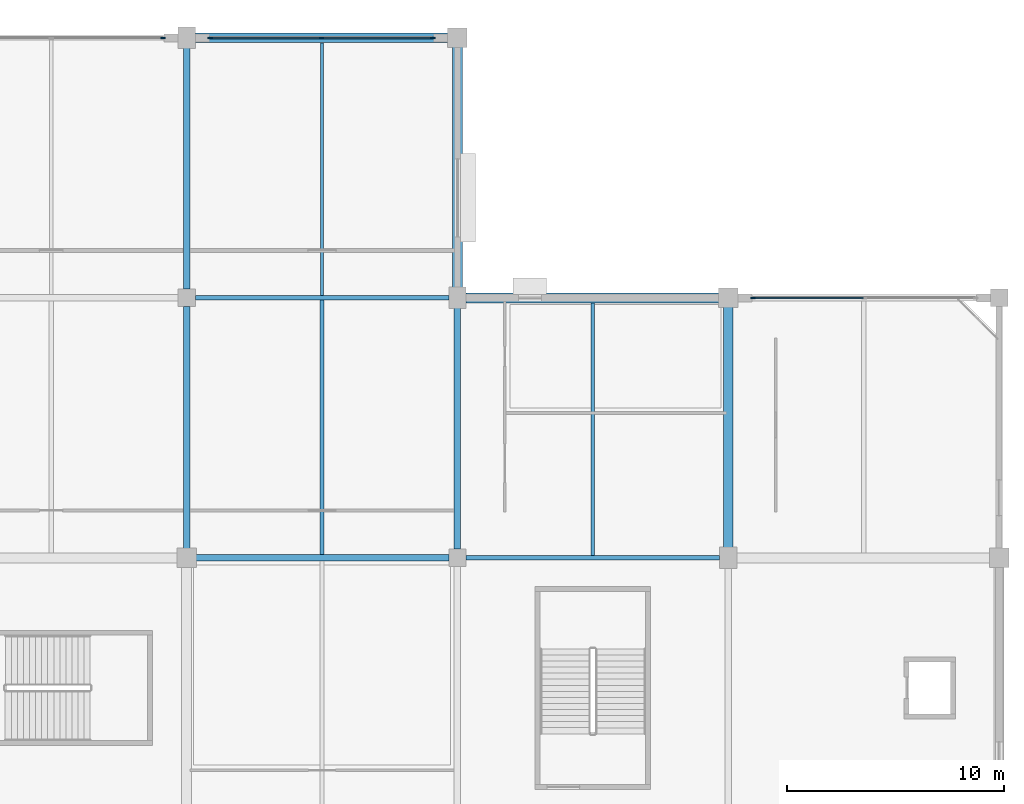
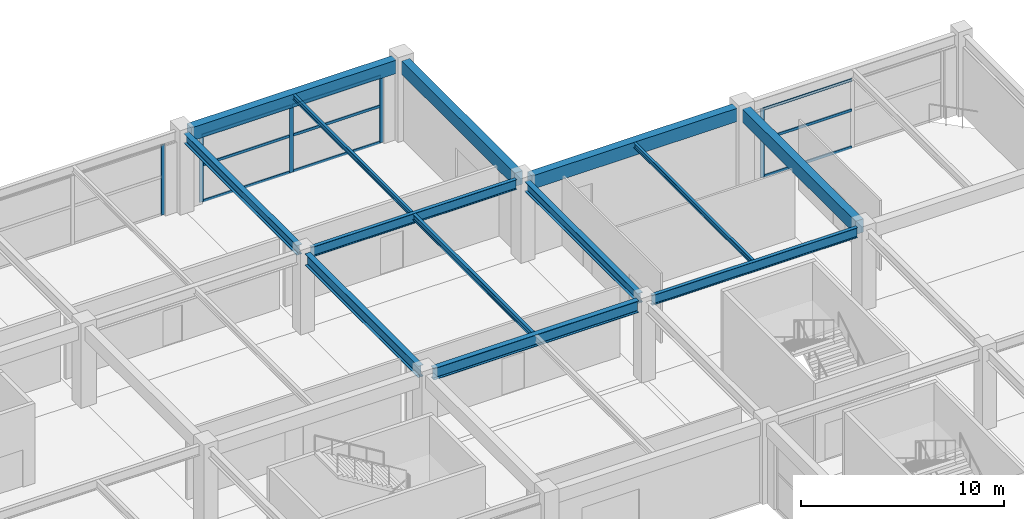
# One storey, part 53 of 116: 14 members, 13 beams, 3 elements without a shape of their own.
"""IFC4 building model written with IfcOpenShell, lengths in metres."""

from ifc_helpers import new_model, si_unit, direction, frame, origin, origin_2d, place, context, subcontext, project, spatial, rectangle, i_section, extrude, material, layer, layer_set, material_profile, profile_set, type_object, element, aggregate, save


model = new_model("IFC4")

# Units and contexts
model_context = context("Model", 3, precision=1e-05, world=origin(), true_north=direction((0.0, 1.0)))
body_context = subcontext(model_context, "Body", "Model", "MODEL_VIEW")
ifc_project = project(units=[si_unit("LENGTHUNIT", "METRE"), si_unit("AREAUNIT", "SQUARE_METRE"), si_unit("VOLUMEUNIT", "CUBIC_METRE"), si_unit("PLANEANGLEUNIT", "RADIAN"), si_unit("MASSUNIT", "GRAM", prefix="KILO")], contexts=[model_context])

# Site, building, storey
site_placement = place(None, origin())
site = spatial("IfcSite", under=ifc_project, at=site_placement, CompositionType="ELEMENT")
building_placement = place(site_placement, origin())
building = spatial("IfcBuilding", under=site, at=building_placement, Name="Kazenohara Klinker Stadium", CompositionType="ELEMENT")
storey_placement = place(building_placement, frame((0.0, 0.0, 10.199951171875)))
storey = spatial("IfcBuildingStorey", under=building, at=storey_placement, Name="L02", CompositionType="ELEMENT", Elevation=10.199951171875)

# Beams
ifc_material_1 = material(Name="Steel S355", Category="steel")
ifc_material_profile_1 = material_profile(ifc_material_1, i_section(OverallWidth=0.175048828125, OverallDepth=0.35009765625, WebThickness=0.007080078125, FlangeThickness=0.010986328125, FilletRadius=0.012939453125, at=origin_2d()), Name="H-350x175x7x11")
ifc_profile_set_1 = profile_set([ifc_material_profile_1], Name="Steel S355")
beam_type_1 = type_object("IfcBeamType", Name="BM-JST04", PredefinedType="JOIST", material=ifc_profile_set_1)
beam_1_placement = place(storey_placement, frame((168.75, 144.14990234375, 4.64501953125), z_axis=(0.0, 1.0, 0.0), x_axis=(-1.0, 0.0, 0.0)))
element("IfcBeam", 1, at=beam_1_placement, inside=storey, type_object=beam_type_1, Name="Secondary floor joist SJ04 L02 14/N", PredefinedType="JOIST", context=body_context, shape_type="SweptSolid", body=[
    extrude(i_section(OverallWidth=0.175048828125, OverallDepth=0.35009765625, WebThickness=0.007080078125, FlangeThickness=0.010986328125, FilletRadius=0.012939453125, at=origin_2d()), origin(), (0.0, 0.0, 1.0), 11.75),
])
ifc_material_profile_2 = material_profile(ifc_material_1, i_section(OverallWidth=0.14990234375, OverallDepth=0.300048828125, WebThickness=0.006591796875, FlangeThickness=0.009033203125, FilletRadius=0.012939453125, at=origin_2d()), Name="H-300x150x6.5x9")
ifc_profile_set_2 = profile_set([ifc_material_profile_2], Name="Steel S355")
beam_type_2 = type_object("IfcBeamType", Name="BM-JST05", PredefinedType="JOIST", material=ifc_profile_set_2)
for number, where, z_axis, x_axis, name in (
    (2, (168.75, 156.10009765625, 4.670166015625), (0.0, 1.0, 0.0), (-1.0, 0.0, 0.0), "Secondary floor joist SJ05 L02 14/P"),
    (3, (181.25, 144.10009765625, 4.670166015625), (0.0, 1.0, 0.0), (-1.0, 0.0, 0.0), "Secondary floor joist SJ05 L02 15/N"),
):
    element("IfcBeam", number, at=place(storey_placement, frame(where, z_axis=z_axis, x_axis=x_axis)), inside=storey, type_object=beam_type_2, Name=name, PredefinedType="JOIST", context=body_context, shape_type="SweptSolid", body=[
        extrude(i_section(OverallWidth=0.14990234375, OverallDepth=0.300048828125, WebThickness=0.006591796875, FlangeThickness=0.009033203125, FilletRadius=0.012939453125, at=origin_2d()), origin(), (0.0, 0.0, 1.0), 11.6748046875),
    ])
ifc_material_2 = material(Name="Concrete C40/50", Category="concrete")
ifc_material_profile_3 = material_profile(ifc_material_2, rectangle(XDim=0.449951171875, YDim=0.800048828125, at=origin_2d()), Name="RC-BM-450x800")
ifc_profile_set_3 = profile_set([ifc_material_profile_3], Name="Concrete C40/50")
beam_type_3 = type_object("IfcBeamType", Name="BM-RC03", PredefinedType="BEAM", material=ifc_profile_set_3)
for number, where, z_axis, x_axis, name in (
    (4, (162.89990234375, 168.0, 4.420166015625), (1.0, 0.0, 0.0), (0.0, 1.0, 0.0), "Primary girder BG03 L02 14-15/Q"),
    (5, (175.39990234375, 156.0, 4.420166015625), (1.0, 0.0, 0.0), (0.0, 1.0, 0.0), "Primary girder BG03 L02 15-16/P"),
):
    element("IfcBeam", number, at=place(storey_placement, frame(where, z_axis=z_axis, x_axis=x_axis)), inside=storey, type_object=beam_type_3, Name=name, PredefinedType="BEAM", context=body_context, shape_type="SweptSolid", body=[
        extrude(rectangle(XDim=0.449951171875, YDim=0.800048828125, at=origin_2d()), origin(), (0.0, 0.0, 1.0), 11.68017578125),
    ])
for number, where, z_axis, x_axis, name in (
    (6, (175.0, 156.419921875, 4.420166015625), (0.0, 1.0, 0.0), (-1.0, 0.0, 0.0), "Primary girder BG03 L02 15/P-Q"),
    (7, (187.5, 144.419921875, 4.420166015625), (0.0, 1.0, 0.0), (-1.0, 0.0, 0.0), "Primary girder BG03 L02 16/N-P"),
):
    element("IfcBeam", number, at=place(storey_placement, frame(where, z_axis=z_axis, x_axis=x_axis)), inside=storey, type_object=beam_type_3, Name=name, PredefinedType="BEAM", context=body_context, shape_type="SweptSolid", body=[
        extrude(rectangle(XDim=0.449951171875, YDim=0.800048828125, at=origin_2d()), origin(), (0.0, 0.0, 1.0), 11.16015625),
    ])
ifc_material_profile_4 = material_profile(ifc_material_1, i_section(OverallWidth=0.300048828125, OverallDepth=0.699951171875, WebThickness=0.012939453125, FlangeThickness=0.02392578125, FilletRadius=0.02197265625, at=origin_2d()), Name="H-700x300x13x24")
ifc_profile_set_4 = profile_set([ifc_material_profile_4], Name="Steel S355")
beam_type_4 = type_object("IfcBeamType", Name="BM-ST03", PredefinedType="BEAM", material=ifc_profile_set_4)
beam_2_placement = place(storey_placement, frame((162.919921875, 144.0, 4.469970703125), z_axis=(1.0, 0.0, 0.0), x_axis=(0.0, 1.0, 0.0)))
element("IfcBeam", 8, at=beam_2_placement, inside=storey, type_object=beam_type_4, Name="Primary girder SB03 L02 14-15/N", PredefinedType="BEAM", context=body_context, shape_type="SweptSolid", body=[
    extrude(i_section(OverallWidth=0.300048828125, OverallDepth=0.699951171875, WebThickness=0.012939453125, FlangeThickness=0.02392578125, FilletRadius=0.02197265625, at=origin_2d()), origin(), (0.0, 0.0, 1.0), 11.68017578125),
])
beam_3_placement = place(storey_placement, frame((162.5, 144.419921875, 4.469970703125), z_axis=(0.0, 1.0, 0.0), x_axis=(-1.0, 0.0, 0.0)))
element("IfcBeam", 9, at=beam_3_placement, inside=storey, type_object=beam_type_4, Name="Primary girder SB03 L02 14/N-P", PredefinedType="BEAM", context=body_context, shape_type="SweptSolid", body=[
    extrude(i_section(OverallWidth=0.300048828125, OverallDepth=0.699951171875, WebThickness=0.012939453125, FlangeThickness=0.02392578125, FilletRadius=0.02197265625, at=origin_2d()), origin(), (0.0, 0.0, 1.0), 11.18017578125),
])
ifc_material_profile_5 = material_profile(ifc_material_1, i_section(OverallWidth=0.199951171875, OverallDepth=0.60009765625, WebThickness=0.010986328125, FlangeThickness=0.01708984375, FilletRadius=0.012939453125, at=origin_2d()), Name="H-600x200x11x17")
ifc_profile_set_5 = profile_set([ifc_material_profile_5], Name="Steel S355")
beam_type_5 = type_object("IfcBeamType", Name="BM-ST04", PredefinedType="BEAM", material=ifc_profile_set_5)
for number, where, z_axis, x_axis, name in (
    (10, (162.89990234375, 156.0, 4.52001953125), (1.0, 0.0, 0.0), (0.0, 1.0, 0.0), "Primary girder SB04 L02 14-15/P"),
    (11, (175.39990234375, 144.0, 4.52001953125), (1.0, 0.0, 0.0), (0.0, 1.0, 0.0), "Primary girder SB04 L02 15-16/N"),
):
    element("IfcBeam", number, at=place(storey_placement, frame(where, z_axis=z_axis, x_axis=x_axis)), inside=storey, type_object=beam_type_5, Name=name, PredefinedType="BEAM", context=body_context, shape_type="SweptSolid", body=[
        extrude(i_section(OverallWidth=0.199951171875, OverallDepth=0.60009765625, WebThickness=0.010986328125, FlangeThickness=0.01708984375, FilletRadius=0.012939453125, at=origin_2d()), origin(), (0.0, 0.0, 1.0), 11.7001953125),
    ])
ifc_material_profile_6 = material_profile(ifc_material_1, i_section(OverallWidth=0.300048828125, OverallDepth=0.587890625, WebThickness=0.011962890625, FlangeThickness=0.02001953125, FilletRadius=0.02197265625, at=origin_2d()), Name="H-588x300x12x20")
ifc_profile_set_6 = profile_set([ifc_material_profile_6], Name="Steel S355")
beam_type_6 = type_object("IfcBeamType", Name="BM-ST05", PredefinedType="BEAM", material=ifc_profile_set_6)
for number, where, z_axis, x_axis, name in (
    (12, (162.5, 156.39990234375, 4.526123046875), (0.0, 1.0, 0.0), (-1.0, 0.0, 0.0), "Primary girder SB05 L02 14/P-Q"),
    (13, (175.0, 144.39990234375, 4.526123046875), (0.0, 1.0, 0.0), (-1.0, 0.0, 0.0), "Primary girder SB05 L02 15/N-P"),
):
    element("IfcBeam", number, at=place(storey_placement, frame(where, z_axis=z_axis, x_axis=x_axis)), inside=storey, type_object=beam_type_6, Name=name, PredefinedType="BEAM", context=body_context, shape_type="SweptSolid", body=[
        extrude(i_section(OverallWidth=0.300048828125, OverallDepth=0.587890625, WebThickness=0.011962890625, FlangeThickness=0.02001953125, FilletRadius=0.02197265625, at=origin_2d()), origin(), (0.0, 0.0, 1.0), 11.18017578125),
    ])

# Curtain wall, member
ifc_material_3 = material(Name="Anodised aluminium and triple glazing", Category="aluminium")
ifc_layer_1 = layer(ifc_material_3, 0.18994140625)
ifc_layer_set_1 = layer_set([ifc_layer_1], Name="Anodised aluminium and triple glazing")
curtain_wall_type_1 = type_object("IfcCurtainWallType", Name="CW-SYS-05", PredefinedType="USERDEFINED", material=ifc_layer_set_1)
curtain_wall_1_placement = place(storey_placement, origin())
curtain_wall_1 = element("IfcCurtainWall", 14, at=curtain_wall_1_placement, inside=storey, type_object=curtain_wall_type_1, Name="Unitised facade curtain wall CW05 L02 X12-14", ObjectType="UNITISED CURTAIN WALL", PredefinedType="USERDEFINED")
ifc_material_4 = material(Name="Anodised aluminium 6063-T6", Category="aluminium")
ifc_material_profile_7 = material_profile(ifc_material_4, rectangle(XDim=0.074951171875, YDim=0.219970703125, at=origin_2d()), Name="ALU-MUL-75x220")
ifc_profile_set_7 = profile_set([ifc_material_profile_7], Name="Anodised aluminium 6063-T6")
member_type_1 = type_object("IfcMemberType", Name="CW-MUL-220", PredefinedType="MULLION", material=ifc_profile_set_7)
member_1_placement = place(storey_placement, frame((161.408447265625, 168.0, 0.0), z_axis=(0.0, 0.0, 1.0), x_axis=(0.0, 1.0, 0.0)))
member_1 = element("IfcMember", 15, at=member_1_placement, type_object=member_type_1, Name="CW05 mullion 3", PredefinedType="MULLION", context=body_context, shape_type="SweptSolid", body=[
    extrude(rectangle(XDim=0.074951171875, YDim=0.219970703125, at=origin_2d()), origin(), (0.0, 0.0, 1.0), 4.219970703125),
])
aggregate(curtain_wall_1, [member_1])

# Curtain wall, members
ifc_layer_2 = layer(ifc_material_3, 0.179931640625)
ifc_layer_set_2 = layer_set([ifc_layer_2], Name="Anodised aluminium and triple glazing")
curtain_wall_type_2 = type_object("IfcCurtainWallType", Name="CW-SYS-02", PredefinedType="USERDEFINED", material=ifc_layer_set_2)
curtain_wall_2_placement = place(storey_placement, origin())
curtain_wall_2 = element("IfcCurtainWall", 16, at=curtain_wall_2_placement, inside=storey, type_object=curtain_wall_type_2, Name="Unitised facade curtain wall CW02 L02 X13-14", ObjectType="UNITISED CURTAIN WALL", PredefinedType="USERDEFINED")
member_2_placement = place(storey_placement, frame((163.591552734375, 168.0, 0.0), z_axis=(0.0, 0.0, 1.0), x_axis=(0.0, 1.0, 0.0)))
member_2 = element("IfcMember", 17, at=member_2_placement, type_object=member_type_1, Name="CW02 mullion 1", PredefinedType="MULLION", context=body_context, shape_type="SweptSolid", body=[
    extrude(rectangle(XDim=0.074951171875, YDim=0.219970703125, at=origin_2d()), origin(), (0.0, 0.0, 1.0), 4.02001953125),
])
member_3_placement = place(storey_placement, frame((168.72509765625, 168.0, 0.0), z_axis=(0.0, 0.0, 1.0), x_axis=(0.0, 1.0, 0.0)))
member_3 = element("IfcMember", 18, at=member_3_placement, type_object=member_type_1, Name="CW02 mullion 2", PredefinedType="MULLION", context=body_context, shape_type="SweptSolid", body=[
    extrude(rectangle(XDim=0.074951171875, YDim=0.219970703125, at=origin_2d()), origin(), (0.0, 0.0, 1.0), 4.02001953125),
])
member_4_placement = place(storey_placement, frame((173.8583984375, 168.0, 0.0), z_axis=(0.0, 0.0, 1.0), x_axis=(0.0, 1.0, 0.0)))
member_4 = element("IfcMember", 19, at=member_4_placement, type_object=member_type_1, Name="CW02 mullion 3", PredefinedType="MULLION", context=body_context, shape_type="SweptSolid", body=[
    extrude(rectangle(XDim=0.074951171875, YDim=0.219970703125, at=origin_2d()), origin(), (0.0, 0.0, 1.0), 4.02001953125),
])

# Curtain wall, member
ifc_layer_3 = layer(ifc_material_3, 0.169921875)
ifc_layer_set_3 = layer_set([ifc_layer_3], Name="Anodised aluminium and triple glazing")
curtain_wall_type_3 = type_object("IfcCurtainWallType", Name="CW-SYS-04", PredefinedType="USERDEFINED", material=ifc_layer_set_3)
curtain_wall_3_placement = place(storey_placement, origin())
curtain_wall_3 = element("IfcCurtainWall", 20, at=curtain_wall_3_placement, inside=storey, type_object=curtain_wall_type_3, Name="Unitised facade curtain wall CW04 L02 X15-13", ObjectType="UNITISED CURTAIN WALL", PredefinedType="USERDEFINED")
member_5_placement = place(storey_placement, frame((188.6416015625, 156.0, 0.0), z_axis=(0.0, 0.0, 1.0), x_axis=(0.0, 1.0, 0.0)))
member_5 = element("IfcMember", 21, at=member_5_placement, type_object=member_type_1, Name="CW04 mullion 1", PredefinedType="MULLION", context=body_context, shape_type="SweptSolid", body=[
    extrude(rectangle(XDim=0.074951171875, YDim=0.219970703125, at=origin_2d()), origin(), (0.0, 0.0, 1.0), 4.1201171875),
])

# Member
ifc_material_profile_8 = material_profile(ifc_material_4, rectangle(XDim=0.074951171875, YDim=0.159912109375, at=origin_2d()), Name="ALU-TRN-75x160")
ifc_profile_set_8 = profile_set([ifc_material_profile_8], Name="Anodised aluminium 6063-T6")
member_type_2 = type_object("IfcMemberType", Name="CW-TRN-160", PredefinedType="USERDEFINED", material=ifc_profile_set_8)
member_6_placement = place(storey_placement, frame((163.62890625, 168.0, 0.03759765625), z_axis=(1.0, 0.0, 0.0), x_axis=(0.0, 1.0, 0.0)))
member_6 = element("IfcMember", 22, at=member_6_placement, type_object=member_type_2, Name="CW02 transom 1.1", ObjectType="TRANSOM", PredefinedType="USERDEFINED", context=body_context, shape_type="SweptSolid", body=[
    extrude(rectangle(XDim=0.074951171875, YDim=0.159912109375, at=origin_2d()), origin(), (0.0, 0.0, 1.0), 5.05859375),
])

member_7_placement = place(storey_placement, frame((163.62890625, 168.0, 2.2109375), z_axis=(1.0, 0.0, 0.0), x_axis=(0.0, 1.0, 0.0)))
member_7 = element("IfcMember", 23, at=member_7_placement, type_object=member_type_2, Name="CW02 transom 1.2", ObjectType="TRANSOM", PredefinedType="USERDEFINED", context=body_context, shape_type="SweptSolid", body=[
    extrude(rectangle(XDim=0.074951171875, YDim=0.159912109375, at=origin_2d()), origin(), (0.0, 0.0, 1.0), 5.05859375),
])

member_8_placement = place(storey_placement, frame((163.62890625, 168.0, 3.982666015625), z_axis=(1.0, 0.0, 0.0), x_axis=(0.0, 1.0, 0.0)))
member_8 = element("IfcMember", 24, at=member_8_placement, type_object=member_type_2, Name="CW02 transom 1.3", ObjectType="TRANSOM", PredefinedType="USERDEFINED", context=body_context, shape_type="SweptSolid", body=[
    extrude(rectangle(XDim=0.074951171875, YDim=0.159912109375, at=origin_2d()), origin(), (0.0, 0.0, 1.0), 5.05859375),
])

member_9_placement = place(storey_placement, frame((168.762451171875, 168.0, 0.03759765625), z_axis=(1.0, 0.0, 0.0), x_axis=(0.0, 1.0, 0.0)))
member_9 = element("IfcMember", 25, at=member_9_placement, type_object=member_type_2, Name="CW02 transom 2.1", ObjectType="TRANSOM", PredefinedType="USERDEFINED", context=body_context, shape_type="SweptSolid", body=[
    extrude(rectangle(XDim=0.074951171875, YDim=0.159912109375, at=origin_2d()), origin(), (0.0, 0.0, 1.0), 5.05859375),
])

member_10_placement = place(storey_placement, frame((168.762451171875, 168.0, 2.2109375), z_axis=(1.0, 0.0, 0.0), x_axis=(0.0, 1.0, 0.0)))
member_10 = element("IfcMember", 26, at=member_10_placement, type_object=member_type_2, Name="CW02 transom 2.2", ObjectType="TRANSOM", PredefinedType="USERDEFINED", context=body_context, shape_type="SweptSolid", body=[
    extrude(rectangle(XDim=0.074951171875, YDim=0.159912109375, at=origin_2d()), origin(), (0.0, 0.0, 1.0), 5.05859375),
])

member_11_placement = place(storey_placement, frame((168.762451171875, 168.0, 3.982666015625), z_axis=(1.0, 0.0, 0.0), x_axis=(0.0, 1.0, 0.0)))
member_11 = element("IfcMember", 27, at=member_11_placement, type_object=member_type_2, Name="CW02 transom 2.3", ObjectType="TRANSOM", PredefinedType="USERDEFINED", context=body_context, shape_type="SweptSolid", body=[
    extrude(rectangle(XDim=0.074951171875, YDim=0.159912109375, at=origin_2d()), origin(), (0.0, 0.0, 1.0), 5.05859375),
])

aggregate(curtain_wall_2, [member_2, member_3, member_4, member_6, member_7, member_8, member_9, member_10, member_11])

member_12_placement = place(storey_placement, frame((188.678955078125, 156.0, 0.03759765625), z_axis=(1.0, 0.0, 0.0), x_axis=(0.0, 1.0, 0.0)))
member_12 = element("IfcMember", 28, at=member_12_placement, type_object=member_type_2, Name="CW04 transom 1.1", ObjectType="TRANSOM", PredefinedType="USERDEFINED", context=body_context, shape_type="SweptSolid", body=[
    extrude(rectangle(XDim=0.074951171875, YDim=0.159912109375, at=origin_2d()), origin(), (0.0, 0.0, 1.0), 5.05859375),
])

member_13_placement = place(storey_placement, frame((188.678955078125, 156.0, 2.26611328125), z_axis=(1.0, 0.0, 0.0), x_axis=(0.0, 1.0, 0.0)))
member_13 = element("IfcMember", 29, at=member_13_placement, type_object=member_type_2, Name="CW04 transom 1.2", ObjectType="TRANSOM", PredefinedType="USERDEFINED", context=body_context, shape_type="SweptSolid", body=[
    extrude(rectangle(XDim=0.074951171875, YDim=0.159912109375, at=origin_2d()), origin(), (0.0, 0.0, 1.0), 5.05859375),
])

member_14_placement = place(storey_placement, frame((188.678955078125, 156.0, 4.08251953125), z_axis=(1.0, 0.0, 0.0), x_axis=(0.0, 1.0, 0.0)))
member_14 = element("IfcMember", 30, at=member_14_placement, type_object=member_type_2, Name="CW04 transom 1.3", ObjectType="TRANSOM", PredefinedType="USERDEFINED", context=body_context, shape_type="SweptSolid", body=[
    extrude(rectangle(XDim=0.074951171875, YDim=0.159912109375, at=origin_2d()), origin(), (0.0, 0.0, 1.0), 5.05859375),
])

aggregate(curtain_wall_3, [member_5, member_12, member_13, member_14])

save(model, "model.ifc")
